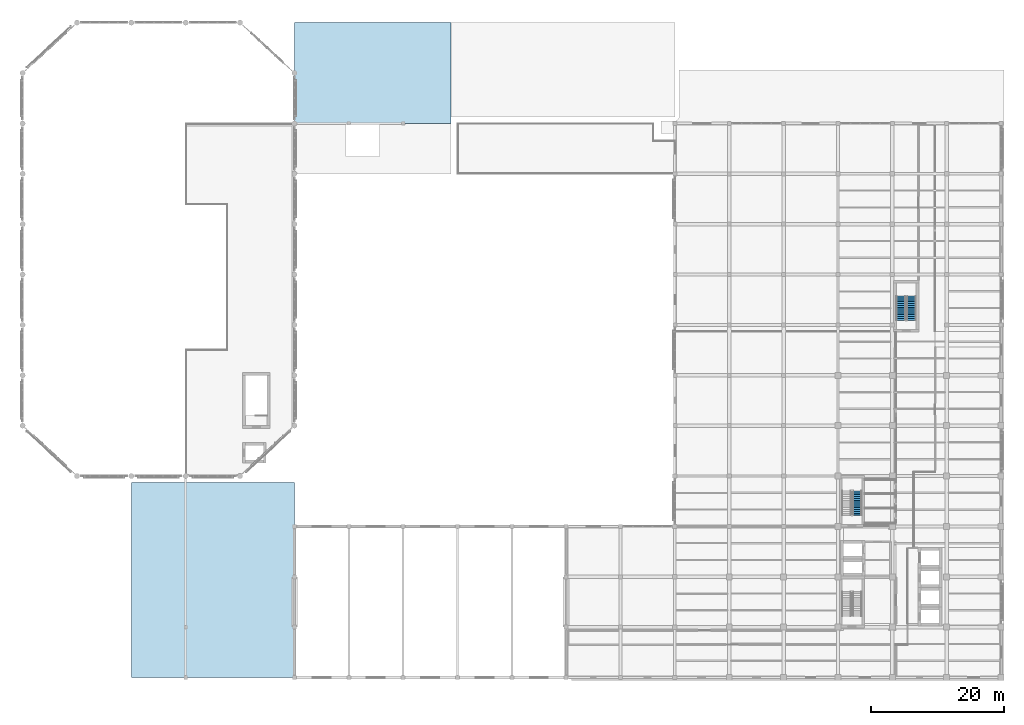
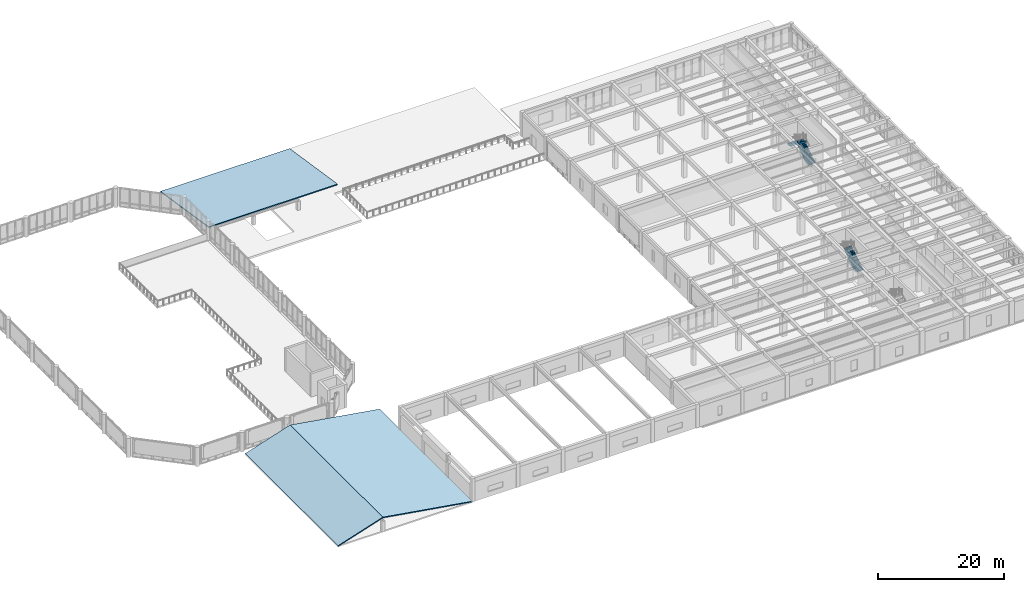
# One storey, part 40 of 49: 3 roofs, 3 stair flights, 2 elements without a shape of their own.
"""IFC4 building model written with IfcOpenShell, lengths in metres."""

from ifc_helpers import new_model, si_unit, direction, frame, origin, place, context, subcontext, project, spatial, polyline, outline, extrude, material, layer, layer_set, type_object, element, aggregate, save


model = new_model("IFC4")

# Units and contexts
model_context = context("Model", 3, precision=1e-05, world=origin(), true_north=direction((0.0, 1.0)))
body_context = subcontext(model_context, "Body", "Model", "MODEL_VIEW")
ifc_project = project(units=[si_unit("LENGTHUNIT", "METRE"), si_unit("AREAUNIT", "SQUARE_METRE"), si_unit("VOLUMEUNIT", "CUBIC_METRE"), si_unit("PLANEANGLEUNIT", "RADIAN"), si_unit("MASSUNIT", "GRAM", prefix="KILO")], contexts=[model_context])

# Site, building, storey
site_placement = place(None, origin())
site = spatial("IfcSite", under=ifc_project, at=site_placement, CompositionType="ELEMENT")
building_placement = place(site_placement, origin())
building = spatial("IfcBuilding", under=site, at=building_placement, Name="Qandaris Square Conservatory and Botanical Centre", CompositionType="ELEMENT")
storey_placement = place(building_placement, frame((0.0, 0.0, 10.199951171875)))
storey = spatial("IfcBuildingStorey", under=building, at=storey_placement, Name="L02", CompositionType="ELEMENT", Elevation=10.199951171875)

# Stair, stair flight
ifc_material_1 = material(Name="Concrete C40/50", Category="concrete")
stair_type = type_object("IfcStairType", Name="Core Escape Scissor Stair", PredefinedType="HALF_TURN_STAIR", material=ifc_material_1)
stair_1_placement = place(storey_placement, origin())
stair_1 = element("IfcStair", 1, at=stair_1_placement, inside=storey, type_object=stair_type, Name="L02 Tower North Exit Stair ST-2", PredefinedType="HALF_TURN_STAIR")
ifc_material_2 = material(Name="Precast concrete C40/50", Category="concrete")
stair_flight_type = type_object("IfcStairFlightType", Name="RC Precast Stair Flight 1400mm", PredefinedType="STRAIGHT", material=ifc_material_2)
stair_flight_1_placement = place(storey_placement, frame((142.10009765625, 41.10009765625, 0.0), z_axis=(0.0, 0.0, 1.0), x_axis=(0.0, 1.0, 0.0)))
stair_flight_1 = element("IfcStairFlight", 2, at=stair_flight_1_placement, type_object=stair_flight_type, Name="ST-2 flight 1", NumberOfRisers=14, NumberOfTreads=13, PredefinedType="STRAIGHT", RiserHeight=0.171428571, TreadLength=0.28, context=body_context, shape_type="SweptSolid", body=[
    extrude(outline(polyline([(-0.034912109375, 0.0), (0.0, 0.0), (0.0, 0.17138671875), (0.280029296875, 0.17138671875), (0.280029296875, 0.3427734375), (0.56005859375, 0.3427734375), (0.56005859375, 0.514404296875), (0.840087890625, 0.514404296875), (0.840087890625, 0.685791015625), (1.1201171875, 0.685791015625), (1.1201171875, 0.857177734375), (1.39990234375, 0.857177734375), (1.39990234375, 1.028564453125), (1.679931640625, 1.028564453125), (1.679931640625, 1.199951171875), (1.9599609375, 1.199951171875), (1.9599609375, 1.371337890625), (2.239990234375, 1.371337890625), (2.239990234375, 1.54296875), (2.52001953125, 1.54296875), (2.52001953125, 1.71435546875), (2.800048828125, 1.71435546875), (2.800048828125, 1.8857421875), (3.080078125, 1.8857421875), (3.080078125, 2.05712890625), (3.360107421875, 2.05712890625), (3.360107421875, 2.228515625), (3.639892578125, 2.228515625), (3.639892578125, 2.39990234375), (3.6748046875, 2.39990234375), (3.6748046875, 2.052734375), (3.639892578125, 2.052734375), (0.515869140625, -0.139892578125), (-0.034912109375, -0.139892578125), (-0.034912109375, 0.0)])), frame((0.0, 0.699951171875, 0.0), z_axis=(0.0, -1.0, 0.0), x_axis=(1.0, 0.0, 0.0)), (0.0, 0.0, 1.0), 1.39990234375),
])
aggregate(stair_1, [stair_flight_1])

# Stair, stair flights
stair_2_placement = place(storey_placement, origin())
stair_2 = element("IfcStair", 3, at=stair_2_placement, inside=storey, type_object=stair_type, Name="L02 Herbarium North Exit Stair ST-3", PredefinedType="HALF_TURN_STAIR")
stair_flight_2_placement = place(storey_placement, frame((150.300048828125, 70.5, 0.0), z_axis=(0.0, 0.0, 1.0), x_axis=(0.0, 1.0, 0.0)))
stair_flight_2 = element("IfcStairFlight", 4, at=stair_flight_2_placement, type_object=stair_flight_type, Name="ST-3 flight 1", NumberOfRisers=14, NumberOfTreads=13, PredefinedType="STRAIGHT", RiserHeight=0.171428571, TreadLength=0.28, context=body_context, shape_type="SweptSolid", body=[
    extrude(outline(polyline([(-0.034912109375, 0.0), (0.0, 0.0), (0.0, 0.17138671875), (0.280029296875, 0.17138671875), (0.280029296875, 0.3427734375), (0.56005859375, 0.3427734375), (0.56005859375, 0.514404296875), (0.840087890625, 0.514404296875), (0.840087890625, 0.685791015625), (1.1201171875, 0.685791015625), (1.1201171875, 0.857177734375), (1.39990234375, 0.857177734375), (1.39990234375, 1.028564453125), (1.679931640625, 1.028564453125), (1.679931640625, 1.199951171875), (1.9599609375, 1.199951171875), (1.9599609375, 1.371337890625), (2.239990234375, 1.371337890625), (2.239990234375, 1.54296875), (2.52001953125, 1.54296875), (2.52001953125, 1.71435546875), (2.800048828125, 1.71435546875), (2.800048828125, 1.8857421875), (3.080078125, 1.8857421875), (3.080078125, 2.05712890625), (3.360107421875, 2.05712890625), (3.360107421875, 2.228515625), (3.639892578125, 2.228515625), (3.639892578125, 2.39990234375), (3.6748046875, 2.39990234375), (3.6748046875, 2.052734375), (3.639892578125, 2.052734375), (0.515869140625, -0.139892578125), (-0.034912109375, -0.139892578125), (-0.034912109375, 0.0)])), frame((0.0, 0.699951171875, 0.0), z_axis=(0.0, -1.0, 0.0), x_axis=(1.0, 0.0, 0.0)), (0.0, 0.0, 1.0), 1.39990234375),
])
stair_flight_3_placement = place(storey_placement, frame((148.699951171875, 74.139892578125, 2.400146484375), z_axis=(0.0, 0.0, 1.0), x_axis=(0.0, -1.0, 0.0)))
stair_flight_3 = element("IfcStairFlight", 5, at=stair_flight_3_placement, type_object=stair_flight_type, Name="ST-3 flight 2", NumberOfRisers=14, NumberOfTreads=13, PredefinedType="STRAIGHT", RiserHeight=0.171428571, TreadLength=0.28, context=body_context, shape_type="SweptSolid", body=[
    extrude(outline(polyline([(-0.034912109375, 0.0), (0.0, 0.0), (0.0, 0.17138671875), (0.280029296875, 0.17138671875), (0.280029296875, 0.3427734375), (0.56005859375, 0.3427734375), (0.56005859375, 0.514404296875), (0.840087890625, 0.514404296875), (0.840087890625, 0.685791015625), (1.1201171875, 0.685791015625), (1.1201171875, 0.857177734375), (1.39990234375, 0.857177734375), (1.39990234375, 1.028564453125), (1.679931640625, 1.028564453125), (1.679931640625, 1.199951171875), (1.9599609375, 1.199951171875), (1.9599609375, 1.371337890625), (2.239990234375, 1.371337890625), (2.239990234375, 1.54296875), (2.52001953125, 1.54296875), (2.52001953125, 1.71435546875), (2.800048828125, 1.71435546875), (2.800048828125, 1.8857421875), (3.080078125, 1.8857421875), (3.080078125, 2.05712890625), (3.360107421875, 2.05712890625), (3.360107421875, 2.228515625), (3.639892578125, 2.228515625), (3.639892578125, 2.39990234375), (3.6748046875, 2.39990234375), (3.6748046875, 2.052734375), (3.639892578125, 2.052734375), (0.515869140625, -0.139892578125), (-0.034912109375, -0.139892578125), (-0.034912109375, 0.0)])), frame((0.0, 0.699951171875, 0.0), z_axis=(0.0, -1.0, 0.0), x_axis=(1.0, 0.0, 0.0)), (0.0, 0.0, 1.0), 1.39990234375),
])
aggregate(stair_2, [stair_flight_2, stair_flight_3])

# Roofs
ifc_layer = layer(ifc_material_2, 0.199951171875)
ifc_layer_set = layer_set([ifc_layer], Name="Precast concrete C40/50")
roof_type = type_object("IfcRoofType", Name="Prairie Overhanging Hipped Roof", PredefinedType="HIP_ROOF", material=ifc_layer_set)
roof_1_placement = place(storey_placement, frame((32.60009765625, 16.60009765625, 0.0), z_axis=(-0.307528357329, 0.0, 0.951538916408), x_axis=(0.951538916408, 0.0, 0.307528357329)))
element("IfcRoof", 6, at=roof_1_placement, inside=storey, type_object=roof_type, Name="Prairie Sloped Roof ROOF-V3A-W", PredefinedType="HIP_ROOF", context=body_context, shape_type="SweptSolid", body=[
    extrude(outline(polyline([(0.0, 0.0), (8.617567847703862, 0.0), (8.617567847703862, 29.39990234375), (0.0, 29.39990234375), (0.0, 0.0)])), origin(), (0.0, 0.0, -1.0), 0.179931640625),
])
roof_2_placement = place(storey_placement, frame((57.199951171875, 46.0, 0.0), z_axis=(0.159525831512, 0.0, 0.987193754579), x_axis=(-0.987193754579, 0.0, 0.159525831512)))
element("IfcRoof", 7, at=roof_2_placement, inside=storey, type_object=roof_type, Name="Prairie Sloped Roof ROOF-V3A-E", PredefinedType="HIP_ROOF", context=body_context, shape_type="SweptSolid", body=[
    extrude(outline(polyline([(0.0, 0.0), (16.612647991009197, 0.0), (16.612647991009197, 29.39990234375), (0.0, 29.39990234375), (0.0, 0.0)])), origin(), (0.0, 0.0, -1.0), 0.179931640625),
])
roof_3_placement = place(storey_placement, frame((57.199951171875, 115.39990234375, 0.0), z_axis=(0.0, 0.152796673707, 0.988257646823), x_axis=(0.0, -0.988257646823, 0.152796673707)))
element("IfcRoof", 8, at=roof_3_placement, inside=storey, type_object=roof_type, Name="Prairie Sloped Roof ROOF-V3B-N", PredefinedType="HIP_ROOF", context=body_context, shape_type="SweptSolid", body=[
    extrude(outline(polyline([(0.0, 0.0), (15.38055508170287, 0.0), (15.38055508170287, 23.600097656250004), (0.0, 23.600097656250004), (0.0, 0.0)])), origin(), (0.0, 0.0, -1.0), 0.179931640625),
])

save(model, "model.ifc")
